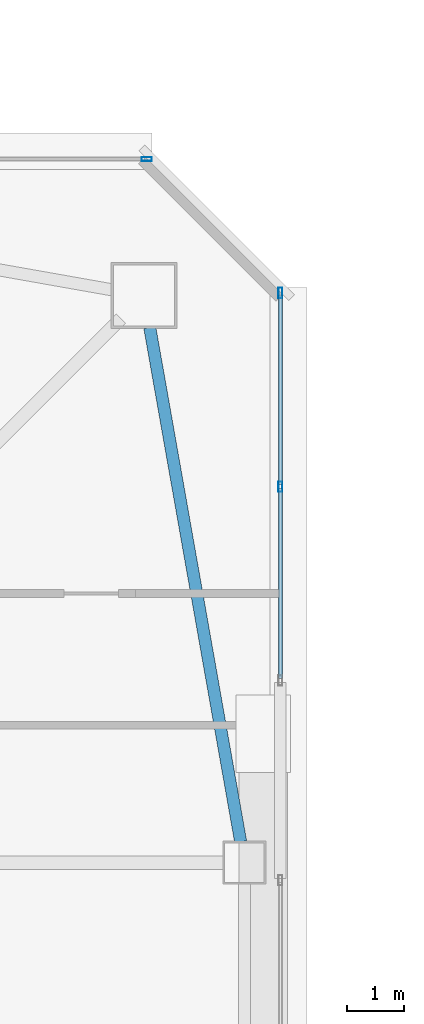
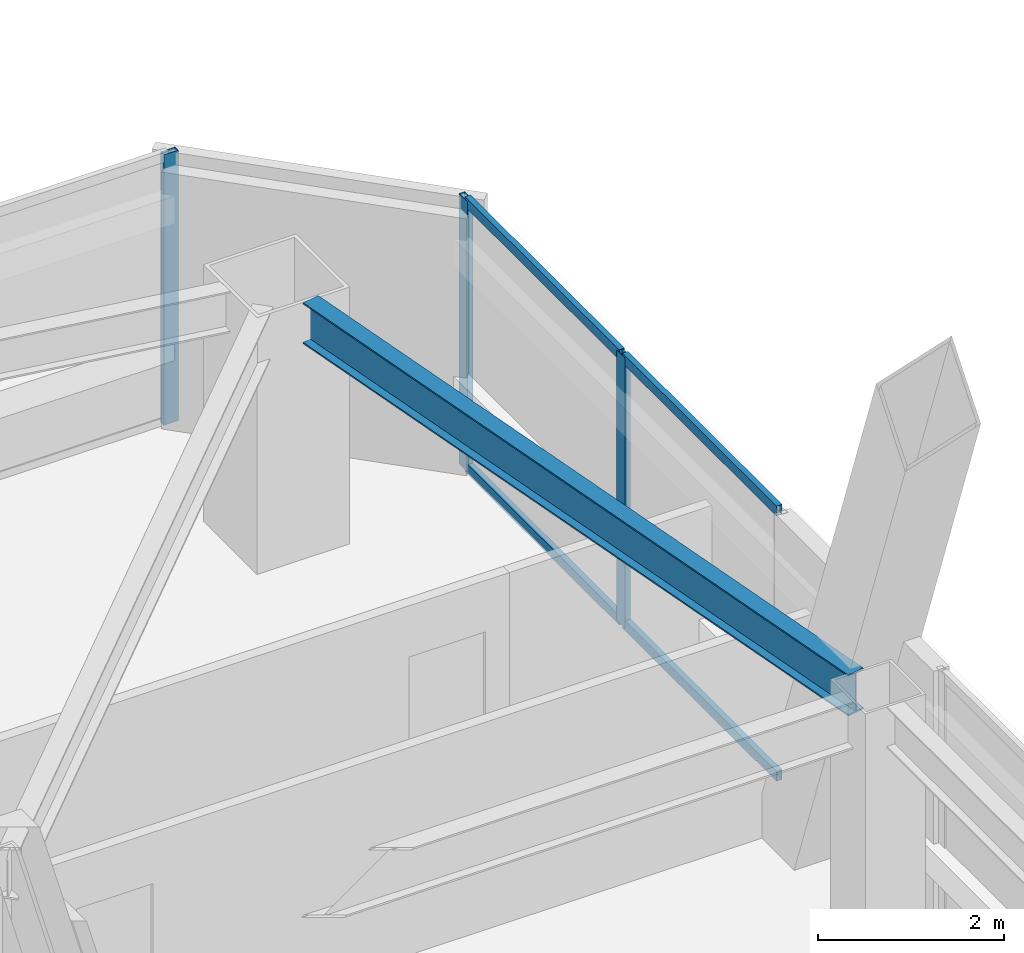
# One storey, part 20 of 55: 7 members, 1 beam, 2 elements without a shape of their own.
"""IFC4 building model written with IfcOpenShell, lengths in metres."""

from ifc_helpers import new_model, si_unit, direction, frame, origin, origin_2d, place, context, subcontext, project, spatial, hollow_rectangle, i_section, extrude, material, material_profile, profile_set, type_object, element, aggregate, save


model = new_model("IFC4")

# Units and contexts
model_context = context("Model", 3, precision=1e-05, world=origin(), true_north=direction((0.0, 1.0)))
body_context = subcontext(model_context, "Body", "Model", "MODEL_VIEW")
ifc_project = project(units=[si_unit("LENGTHUNIT", "METRE"), si_unit("AREAUNIT", "SQUARE_METRE"), si_unit("VOLUMEUNIT", "CUBIC_METRE"), si_unit("PLANEANGLEUNIT", "RADIAN"), si_unit("MASSUNIT", "GRAM", prefix="KILO")], contexts=[model_context])

# Site, building, storey
site_placement = place(None, origin())
site = spatial("IfcSite", under=ifc_project, at=site_placement, CompositionType="ELEMENT")
building_placement = place(site_placement, origin())
building = spatial("IfcBuilding", under=site, at=building_placement, Name="Tashvorn Skyway Center", CompositionType="ELEMENT")
storey_placement = place(building_placement, frame((0.0, 0.0, 178.300048828125)))
storey = spatial("IfcBuildingStorey", under=building, at=storey_placement, Name="L48", CompositionType="ELEMENT", Elevation=178.300048828125)

# Beam
ifc_material_1 = material(Name="Steel ASTM A992 Grade 50", Category="steel")
ifc_material_profile_1 = material_profile(ifc_material_1, i_section(OverallWidth=0.2109375, OverallDepth=0.5390625, WebThickness=0.01171875, FlangeThickness=0.018798828125, at=origin_2d()), Name="W21X73")
ifc_profile_set_1 = profile_set([ifc_material_profile_1], Name="Steel ASTM A992 Grade 50")
beam_type = type_object("IfcBeamType", Name="BM-SPANDREL-W21X73", PredefinedType="SPANDREL", material=ifc_profile_set_1)
beam_placement = place(storey_placement, frame((58.985595703125, 37.764404296875, 3.100341796875), z_axis=(-0.174074160933, 0.984732545667, 0.0), x_axis=(-0.984732545667, -0.174074160933, 0.0)))
element("IfcBeam", 1, at=beam_placement, inside=storey, type_object=beam_type, Name="Tower 1 L48 Spandrel Beam 06", PredefinedType="SPANDREL", context=body_context, shape_type="SweptSolid", body=[
    extrude(i_section(OverallWidth=0.2109375, OverallDepth=0.5390625, WebThickness=0.01171875, FlangeThickness=0.018798828125, at=origin_2d()), origin(), (0.0, 0.0, 1.0), 9.113525390625),
])

# Curtain wall, member
ifc_material_2 = material(Name="Thermally broken bronze-anodized aluminium 6063-T6", Category="aluminium")
curtain_wall_type = type_object("IfcCurtainWallType", Name="CW-CW-Z4", PredefinedType="NOTDEFINED", material=ifc_material_2)
curtain_wall_1_placement = place(storey_placement, origin())
curtain_wall_1 = element("IfcCurtainWall", 2, at=curtain_wall_1_placement, inside=storey, type_object=curtain_wall_type, Name="Tower 1 L48 North Unitised Curtain Wall Glazing Group 3", PredefinedType="NOTDEFINED")
ifc_material_profile_2 = material_profile(ifc_material_2, hollow_rectangle(XDim=0.070068359375, YDim=0.179931640625, WallThickness=0.00390625, at=origin_2d()), Name="ALU-MULL-70x180")
ifc_profile_set_2 = profile_set([ifc_material_profile_2], Name="Thermally broken bronze-anodized aluminium 6063-T6")
member_type_1 = type_object("IfcMemberType", Name="CWM-CW-Z4", PredefinedType="MULLION", material=ifc_profile_set_2)
member_1_placement = place(storey_placement, frame((57.344970703125, 49.679931640625, 0.0), z_axis=(0.0, 0.0, 1.0), x_axis=(0.0, 1.0, 0.0)))
member_1 = element("IfcMember", 3, at=member_1_placement, type_object=member_type_1, Name="CW-Z4 mullion 3", PredefinedType="MULLION", context=body_context, shape_type="SweptSolid", body=[
    extrude(hollow_rectangle(XDim=0.070068359375, YDim=0.179931640625, WallThickness=0.00390625, at=origin_2d()), origin(), (0.0, 0.0, 1.0), 3.550048828125),
])
aggregate(curtain_wall_1, [member_1])

# Curtain wall, members
curtain_wall_2_placement = place(storey_placement, origin())
curtain_wall_2 = element("IfcCurtainWall", 4, at=curtain_wall_2_placement, inside=storey, type_object=curtain_wall_type, Name="Tower 1 L48 East Unitised Curtain Wall Glazing Group 1", PredefinedType="NOTDEFINED")
member_2_placement = place(storey_placement, frame((59.679931640625, 47.344970703125, 0.0), z_axis=(0.0, 0.0, 1.0), x_axis=(1.0, 0.0, 0.0)))
member_2 = element("IfcMember", 5, at=member_2_placement, type_object=member_type_1, Name="CW-Z4 mullion 1", PredefinedType="MULLION", context=body_context, shape_type="SweptSolid", body=[
    extrude(hollow_rectangle(XDim=0.070068359375, YDim=0.179931640625, WallThickness=0.00390625, at=origin_2d()), origin(), (0.0, 0.0, 1.0), 3.550048828125),
])
member_3_placement = place(storey_placement, frame((59.679931640625, 43.962158203125, 0.0), z_axis=(0.0, 0.0, 1.0), x_axis=(1.0, 0.0, 0.0)))
member_3 = element("IfcMember", 6, at=member_3_placement, type_object=member_type_1, Name="CW-Z4 mullion 2", PredefinedType="MULLION", context=body_context, shape_type="SweptSolid", body=[
    extrude(hollow_rectangle(XDim=0.070068359375, YDim=0.179931640625, WallThickness=0.00390625, at=origin_2d()), origin(), (0.0, 0.0, 1.0), 3.550048828125),
])
ifc_material_profile_3 = material_profile(ifc_material_2, hollow_rectangle(XDim=0.070068359375, YDim=0.1298828125, WallThickness=0.00390625, at=origin_2d()), Name="ALU-TRAN-70x130")
ifc_profile_set_3 = profile_set([ifc_material_profile_3], Name="Thermally broken bronze-anodized aluminium 6063-T6")
member_type_2 = type_object("IfcMemberType", Name="CWT-CW-Z4", PredefinedType="USERDEFINED", material=ifc_profile_set_3)
member_4_placement = place(storey_placement, frame((59.679931640625, 47.31005859375, 0.034912109375), z_axis=(0.0, -1.0, 0.0), x_axis=(1.0, 0.0, 0.0)))
member_4 = element("IfcMember", 7, at=member_4_placement, type_object=member_type_2, Name="CW-Z4 transom 1.1", ObjectType="TRANSOM", PredefinedType="USERDEFINED", context=body_context, shape_type="SweptSolid", body=[
    extrude(hollow_rectangle(XDim=0.070068359375, YDim=0.1298828125, WallThickness=0.00390625, at=origin_2d()), origin(), (0.0, 0.0, 1.0), 3.312744140625),
])
member_5_placement = place(storey_placement, frame((59.679931640625, 47.31005859375, 3.514892578125), z_axis=(0.0, -1.0, 0.0), x_axis=(1.0, 0.0, 0.0)))
member_5 = element("IfcMember", 8, at=member_5_placement, type_object=member_type_2, Name="CW-Z4 transom 1.2", ObjectType="TRANSOM", PredefinedType="USERDEFINED", context=body_context, shape_type="SweptSolid", body=[
    extrude(hollow_rectangle(XDim=0.070068359375, YDim=0.1298828125, WallThickness=0.00390625, at=origin_2d()), origin(), (0.0, 0.0, 1.0), 3.312744140625),
])
member_6_placement = place(storey_placement, frame((59.679931640625, 43.92724609375, 0.034912109375), z_axis=(0.0, -1.0, 0.0), x_axis=(1.0, 0.0, 0.0)))
member_6 = element("IfcMember", 9, at=member_6_placement, type_object=member_type_2, Name="CW-Z4 transom 2.1", ObjectType="TRANSOM", PredefinedType="USERDEFINED", context=body_context, shape_type="SweptSolid", body=[
    extrude(hollow_rectangle(XDim=0.070068359375, YDim=0.1298828125, WallThickness=0.00390625, at=origin_2d()), origin(), (0.0, 0.0, 1.0), 3.312744140625),
])
member_7_placement = place(storey_placement, frame((59.679931640625, 43.92724609375, 3.514892578125), z_axis=(0.0, -1.0, 0.0), x_axis=(1.0, 0.0, 0.0)))
member_7 = element("IfcMember", 10, at=member_7_placement, type_object=member_type_2, Name="CW-Z4 transom 2.2", ObjectType="TRANSOM", PredefinedType="USERDEFINED", context=body_context, shape_type="SweptSolid", body=[
    extrude(hollow_rectangle(XDim=0.070068359375, YDim=0.1298828125, WallThickness=0.00390625, at=origin_2d()), origin(), (0.0, 0.0, 1.0), 3.312744140625),
])
aggregate(curtain_wall_2, [member_2, member_3, member_4, member_5, member_6, member_7])

save(model, "model.ifc")
